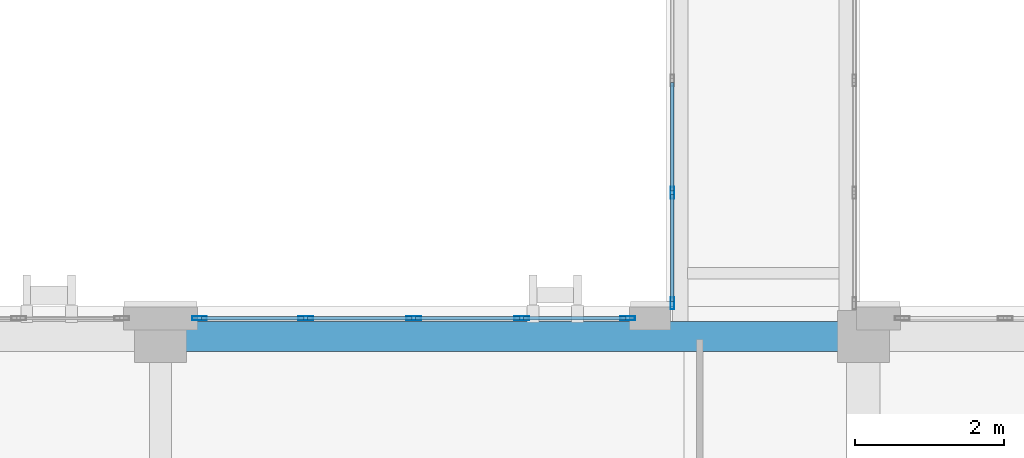
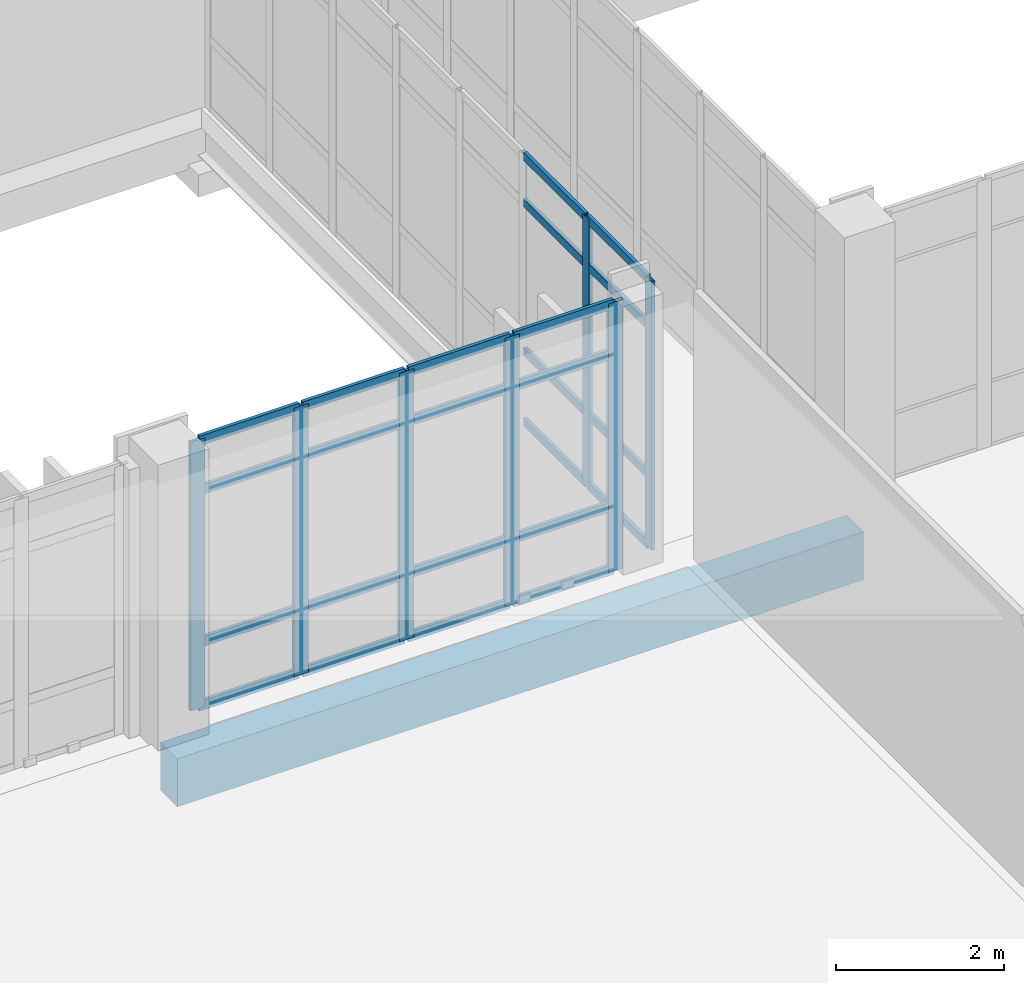
# One storey, part 42 of 193: 31 members, 1 beam, 2 elements without a shape of their own.
"""IFC4 building model written with IfcOpenShell, lengths in metres."""

from ifc_helpers import new_model, si_unit, direction, frame, origin, origin_2d, place, context, subcontext, project, spatial, rectangle, hollow_rectangle, extrude, material, layer, layer_set, material_profile, profile_set, type_object, element, aggregate, save


model = new_model("IFC4")

# Units and contexts
model_context = context("Model", 3, precision=1e-05, world=origin(), true_north=direction((0.0, 1.0)))
body_context = subcontext(model_context, "Body", "Model", "MODEL_VIEW")
ifc_project = project(units=[si_unit("LENGTHUNIT", "METRE"), si_unit("AREAUNIT", "SQUARE_METRE"), si_unit("VOLUMEUNIT", "CUBIC_METRE"), si_unit("PLANEANGLEUNIT", "RADIAN"), si_unit("MASSUNIT", "GRAM", prefix="KILO")], contexts=[model_context])

# Site, building, storey
site_placement = place(None, origin())
site = spatial("IfcSite", under=ifc_project, at=site_placement, CompositionType="ELEMENT")
building_placement = place(site_placement, origin())
building = spatial("IfcBuilding", under=site, at=building_placement, Name="Qalavern Law Courts", CompositionType="ELEMENT")
storey_placement = place(building_placement, frame((0.0, 0.0, 10.199951171875)))
storey = spatial("IfcBuildingStorey", under=building, at=storey_placement, Name="L02", CompositionType="ELEMENT", Elevation=10.199951171875)

# Curtain wall, members
ifc_material_1 = material(Name="Anodised aluminium and insulated glazing", Category="aluminium")
ifc_layer_1 = layer(ifc_material_1, 0.14990234375)
ifc_layer_set_1 = layer_set([ifc_layer_1], Name="Anodised aluminium and insulated glazing")
curtain_wall_type_1 = type_object("IfcCurtainWallType", Name="ENV-CW-BRG", PredefinedType="USERDEFINED", material=ifc_layer_set_1)
curtain_wall_1_placement = place(storey_placement, origin())
curtain_wall_1 = element("IfcCurtainWall", 1, at=curtain_wall_1_placement, inside=storey, type_object=curtain_wall_type_1, Name="Bridge BR-V2-V4 glazed curtain wall L02-1", ObjectType="UNITISED CURTAIN WALL", PredefinedType="USERDEFINED")
ifc_material_2 = material(Name="Anodised aluminium", Category="aluminium")
ifc_material_profile_1 = material_profile(ifc_material_2, hollow_rectangle(XDim=0.048095703125, YDim=0.159912109375, WallThickness=0.00390625, at=origin_2d()), Name="ALU MULLION 48x160")
ifc_profile_set_1 = profile_set([ifc_material_profile_1], Name="Anodised aluminium")
member_type_1 = type_object("IfcMemberType", Name="ENV-CWM-48x160", PredefinedType="MULLION", material=ifc_profile_set_1)
member_1_placement = place(storey_placement, frame((88.77490234375, 31.931396484375, 0.0), z_axis=(0.0, 0.0, 1.0), x_axis=(1.0, 0.0, 0.0)))
member_1 = element("IfcMember", 2, at=member_1_placement, type_object=member_type_1, Name="CW-06 mullion 7", PredefinedType="MULLION", context=body_context, shape_type="SweptSolid", body=[
    extrude(hollow_rectangle(XDim=0.048095703125, YDim=0.159912109375, WallThickness=0.00390625, at=origin_2d()), origin(), (0.0, 0.0, 1.0), 3.9150390625),
])
member_2_placement = place(storey_placement, frame((88.77490234375, 30.444091796875, 0.0), z_axis=(0.0, 0.0, 1.0), x_axis=(1.0, 0.0, 0.0)))
member_2 = element("IfcMember", 3, at=member_2_placement, type_object=member_type_1, Name="CW-06 mullion 8", PredefinedType="MULLION", context=body_context, shape_type="SweptSolid", body=[
    extrude(hollow_rectangle(XDim=0.048095703125, YDim=0.159912109375, WallThickness=0.00390625, at=origin_2d()), origin(), (0.0, 0.0, 1.0), 3.9150390625),
])

ifc_layer_2 = layer(ifc_material_1, 0.18505859375)
ifc_layer_set_2 = layer_set([ifc_layer_2], Name="Anodised aluminium and insulated glazing")
curtain_wall_type_2 = type_object("IfcCurtainWallType", Name="ENV-CW-HALL", PredefinedType="USERDEFINED", material=ifc_layer_set_2)
curtain_wall_2_placement = place(storey_placement, origin())
curtain_wall_2 = element("IfcCurtainWall", 4, at=curtain_wall_2_placement, inside=storey, type_object=curtain_wall_type_2, Name="V2 unitised curtain wall L02 north 1", ObjectType="UNITISED CURTAIN WALL", PredefinedType="USERDEFINED")
ifc_material_profile_2 = material_profile(ifc_material_2, hollow_rectangle(XDim=0.048095703125, YDim=0.199951171875, WallThickness=0.00439453125, at=origin_2d()), Name="ALU MULLION 48x200")
ifc_profile_set_2 = profile_set([ifc_material_profile_2], Name="Anodised aluminium")
member_type_2 = type_object("IfcMemberType", Name="ENV-CWM-48x200", PredefinedType="MULLION", material=ifc_profile_set_2)
member_3_placement = place(storey_placement, frame((88.176025390625, 30.2451171875, 0.0), z_axis=(0.0, 0.0, 1.0), x_axis=(0.0, -1.0, 0.0)))
member_3 = element("IfcMember", 5, at=member_3_placement, type_object=member_type_2, Name="CW-02 mullion 1", PredefinedType="MULLION", context=body_context, shape_type="SweptSolid", body=[
    extrude(hollow_rectangle(XDim=0.048095703125, YDim=0.199951171875, WallThickness=0.00439453125, at=origin_2d()), origin(), (0.0, 0.0, 1.0), 3.9150390625),
])
member_4_placement = place(storey_placement, frame((86.747802734375, 30.2451171875, 0.0), z_axis=(0.0, 0.0, 1.0), x_axis=(0.0, -1.0, 0.0)))
member_4 = element("IfcMember", 6, at=member_4_placement, type_object=member_type_2, Name="CW-02 mullion 2", PredefinedType="MULLION", context=body_context, shape_type="SweptSolid", body=[
    extrude(hollow_rectangle(XDim=0.048095703125, YDim=0.199951171875, WallThickness=0.00439453125, at=origin_2d()), origin(), (0.0, 0.0, 1.0), 3.9150390625),
])
member_5_placement = place(storey_placement, frame((85.295654296875, 30.2451171875, 0.0), z_axis=(0.0, 0.0, 1.0), x_axis=(0.0, -1.0, 0.0)))
member_5 = element("IfcMember", 7, at=member_5_placement, type_object=member_type_2, Name="CW-02 mullion 3", PredefinedType="MULLION", context=body_context, shape_type="SweptSolid", body=[
    extrude(hollow_rectangle(XDim=0.048095703125, YDim=0.199951171875, WallThickness=0.00439453125, at=origin_2d()), origin(), (0.0, 0.0, 1.0), 3.9150390625),
])
member_6_placement = place(storey_placement, frame((83.843505859375, 30.2451171875, 0.0), z_axis=(0.0, 0.0, 1.0), x_axis=(0.0, -1.0, 0.0)))
member_6 = element("IfcMember", 8, at=member_6_placement, type_object=member_type_2, Name="CW-02 mullion 4", PredefinedType="MULLION", context=body_context, shape_type="SweptSolid", body=[
    extrude(hollow_rectangle(XDim=0.048095703125, YDim=0.199951171875, WallThickness=0.00439453125, at=origin_2d()), origin(), (0.0, 0.0, 1.0), 3.9150390625),
])
member_7_placement = place(storey_placement, frame((82.415283203125, 30.2451171875, 0.0), z_axis=(0.0, 0.0, 1.0), x_axis=(0.0, -1.0, 0.0)))
member_7 = element("IfcMember", 9, at=member_7_placement, type_object=member_type_2, Name="CW-02 mullion 5", PredefinedType="MULLION", context=body_context, shape_type="SweptSolid", body=[
    extrude(hollow_rectangle(XDim=0.048095703125, YDim=0.199951171875, WallThickness=0.00439453125, at=origin_2d()), origin(), (0.0, 0.0, 1.0), 3.9150390625),
])

# Member
ifc_material_profile_3 = material_profile(ifc_material_2, hollow_rectangle(XDim=0.048095703125, YDim=0.1201171875, WallThickness=0.00390625, at=origin_2d()), Name="ALU TRANSOM 48x120")
ifc_profile_set_3 = profile_set([ifc_material_profile_3], Name="Anodised aluminium")
member_type_3 = type_object("IfcMemberType", Name="ENV-CWT-48x120", PredefinedType="USERDEFINED", material=ifc_profile_set_3)
member_8_placement = place(storey_placement, frame((88.77490234375, 33.4189453125, 0.024169921875), z_axis=(0.0, -1.0, 0.0), x_axis=(1.0, 0.0, 0.0)))
member_8 = element("IfcMember", 10, at=member_8_placement, type_object=member_type_3, Name="CW-06 transom 6.1", ObjectType="TRANSOM", PredefinedType="USERDEFINED", context=body_context, shape_type="SweptSolid", body=[
    extrude(hollow_rectangle(XDim=0.048095703125, YDim=0.1201171875, WallThickness=0.00390625, at=origin_2d()), origin(), (0.0, 0.0, 1.0), 1.463623046875),
])

member_9_placement = place(storey_placement, frame((88.77490234375, 33.4189453125, 1.050048828125), z_axis=(0.0, -1.0, 0.0), x_axis=(1.0, 0.0, 0.0)))
member_9 = element("IfcMember", 11, at=member_9_placement, type_object=member_type_3, Name="CW-06 transom 6.2", ObjectType="TRANSOM", PredefinedType="USERDEFINED", context=body_context, shape_type="SweptSolid", body=[
    extrude(hollow_rectangle(XDim=0.048095703125, YDim=0.1201171875, WallThickness=0.00390625, at=origin_2d()), origin(), (0.0, 0.0, 1.0), 1.463623046875),
])

member_10_placement = place(storey_placement, frame((88.77490234375, 33.4189453125, 3.215087890625), z_axis=(0.0, -1.0, 0.0), x_axis=(1.0, 0.0, 0.0)))
member_10 = element("IfcMember", 12, at=member_10_placement, type_object=member_type_3, Name="CW-06 transom 6.3", ObjectType="TRANSOM", PredefinedType="USERDEFINED", context=body_context, shape_type="SweptSolid", body=[
    extrude(hollow_rectangle(XDim=0.048095703125, YDim=0.1201171875, WallThickness=0.00390625, at=origin_2d()), origin(), (0.0, 0.0, 1.0), 1.463623046875),
])

member_11_placement = place(storey_placement, frame((88.77490234375, 33.4189453125, 3.89111328125), z_axis=(0.0, -1.0, 0.0), x_axis=(1.0, 0.0, 0.0)))
member_11 = element("IfcMember", 13, at=member_11_placement, type_object=member_type_3, Name="CW-06 transom 6.4", ObjectType="TRANSOM", PredefinedType="USERDEFINED", context=body_context, shape_type="SweptSolid", body=[
    extrude(hollow_rectangle(XDim=0.048095703125, YDim=0.1201171875, WallThickness=0.00390625, at=origin_2d()), origin(), (0.0, 0.0, 1.0), 1.463623046875),
])

member_12_placement = place(storey_placement, frame((88.77490234375, 31.907470703125, 0.024169921875), z_axis=(0.0, -1.0, 0.0), x_axis=(1.0, 0.0, 0.0)))
member_12 = element("IfcMember", 14, at=member_12_placement, type_object=member_type_3, Name="CW-06 transom 7.1", ObjectType="TRANSOM", PredefinedType="USERDEFINED", context=body_context, shape_type="SweptSolid", body=[
    extrude(hollow_rectangle(XDim=0.048095703125, YDim=0.1201171875, WallThickness=0.00390625, at=origin_2d()), origin(), (0.0, 0.0, 1.0), 1.439453125),
])

member_13_placement = place(storey_placement, frame((88.77490234375, 31.907470703125, 1.050048828125), z_axis=(0.0, -1.0, 0.0), x_axis=(1.0, 0.0, 0.0)))
member_13 = element("IfcMember", 15, at=member_13_placement, type_object=member_type_3, Name="CW-06 transom 7.2", ObjectType="TRANSOM", PredefinedType="USERDEFINED", context=body_context, shape_type="SweptSolid", body=[
    extrude(hollow_rectangle(XDim=0.048095703125, YDim=0.1201171875, WallThickness=0.00390625, at=origin_2d()), origin(), (0.0, 0.0, 1.0), 1.439453125),
])

member_14_placement = place(storey_placement, frame((88.77490234375, 31.907470703125, 3.215087890625), z_axis=(0.0, -1.0, 0.0), x_axis=(1.0, 0.0, 0.0)))
member_14 = element("IfcMember", 16, at=member_14_placement, type_object=member_type_3, Name="CW-06 transom 7.3", ObjectType="TRANSOM", PredefinedType="USERDEFINED", context=body_context, shape_type="SweptSolid", body=[
    extrude(hollow_rectangle(XDim=0.048095703125, YDim=0.1201171875, WallThickness=0.00390625, at=origin_2d()), origin(), (0.0, 0.0, 1.0), 1.439453125),
])

member_15_placement = place(storey_placement, frame((88.77490234375, 31.907470703125, 3.89111328125), z_axis=(0.0, -1.0, 0.0), x_axis=(1.0, 0.0, 0.0)))
member_15 = element("IfcMember", 17, at=member_15_placement, type_object=member_type_3, Name="CW-06 transom 7.4", ObjectType="TRANSOM", PredefinedType="USERDEFINED", context=body_context, shape_type="SweptSolid", body=[
    extrude(hollow_rectangle(XDim=0.048095703125, YDim=0.1201171875, WallThickness=0.00390625, at=origin_2d()), origin(), (0.0, 0.0, 1.0), 1.439453125),
])

aggregate(curtain_wall_1, [member_1, member_2, member_8, member_9, member_10, member_11, member_12, member_13, member_14, member_15])

ifc_material_profile_4 = material_profile(ifc_material_2, hollow_rectangle(XDim=0.048095703125, YDim=0.139892578125, WallThickness=0.00390625, at=origin_2d()), Name="ALU TRANSOM 48x140")
ifc_profile_set_4 = profile_set([ifc_material_profile_4], Name="Anodised aluminium")
member_type_4 = type_object("IfcMemberType", Name="ENV-CWT-48x140", PredefinedType="USERDEFINED", material=ifc_profile_set_4)
member_16_placement = place(storey_placement, frame((88.152099609375, 30.2451171875, 0.024169921875), z_axis=(-1.0, 0.0, 0.0), x_axis=(0.0, -1.0, 0.0)))
member_16 = element("IfcMember", 18, at=member_16_placement, type_object=member_type_4, Name="CW-02 transom 1.1", ObjectType="TRANSOM", PredefinedType="USERDEFINED", context=body_context, shape_type="SweptSolid", body=[
    extrude(hollow_rectangle(XDim=0.048095703125, YDim=0.139892578125, WallThickness=0.00390625, at=origin_2d()), origin(), (0.0, 0.0, 1.0), 1.38037109375),
])

member_17_placement = place(storey_placement, frame((88.152099609375, 30.2451171875, 0.949951171875), z_axis=(-1.0, 0.0, 0.0), x_axis=(0.0, -1.0, 0.0)))
member_17 = element("IfcMember", 19, at=member_17_placement, type_object=member_type_4, Name="CW-02 transom 1.2", ObjectType="TRANSOM", PredefinedType="USERDEFINED", context=body_context, shape_type="SweptSolid", body=[
    extrude(hollow_rectangle(XDim=0.048095703125, YDim=0.139892578125, WallThickness=0.00390625, at=origin_2d()), origin(), (0.0, 0.0, 1.0), 1.38037109375),
])

member_18_placement = place(storey_placement, frame((88.152099609375, 30.2451171875, 3.1650390625), z_axis=(-1.0, 0.0, 0.0), x_axis=(0.0, -1.0, 0.0)))
member_18 = element("IfcMember", 20, at=member_18_placement, type_object=member_type_4, Name="CW-02 transom 1.3", ObjectType="TRANSOM", PredefinedType="USERDEFINED", context=body_context, shape_type="SweptSolid", body=[
    extrude(hollow_rectangle(XDim=0.048095703125, YDim=0.139892578125, WallThickness=0.00390625, at=origin_2d()), origin(), (0.0, 0.0, 1.0), 1.38037109375),
])

member_19_placement = place(storey_placement, frame((88.152099609375, 30.2451171875, 3.89111328125), z_axis=(-1.0, 0.0, 0.0), x_axis=(0.0, -1.0, 0.0)))
member_19 = element("IfcMember", 21, at=member_19_placement, type_object=member_type_4, Name="CW-02 transom 1.4", ObjectType="TRANSOM", PredefinedType="USERDEFINED", context=body_context, shape_type="SweptSolid", body=[
    extrude(hollow_rectangle(XDim=0.048095703125, YDim=0.139892578125, WallThickness=0.00390625, at=origin_2d()), origin(), (0.0, 0.0, 1.0), 1.38037109375),
])

member_20_placement = place(storey_placement, frame((86.723876953125, 30.2451171875, 0.024169921875), z_axis=(-1.0, 0.0, 0.0), x_axis=(0.0, -1.0, 0.0)))
member_20 = element("IfcMember", 22, at=member_20_placement, type_object=member_type_4, Name="CW-02 transom 2.1", ObjectType="TRANSOM", PredefinedType="USERDEFINED", context=body_context, shape_type="SweptSolid", body=[
    extrude(hollow_rectangle(XDim=0.048095703125, YDim=0.139892578125, WallThickness=0.00390625, at=origin_2d()), origin(), (0.0, 0.0, 1.0), 1.404296875),
])

member_21_placement = place(storey_placement, frame((86.723876953125, 30.2451171875, 0.949951171875), z_axis=(-1.0, 0.0, 0.0), x_axis=(0.0, -1.0, 0.0)))
member_21 = element("IfcMember", 23, at=member_21_placement, type_object=member_type_4, Name="CW-02 transom 2.2", ObjectType="TRANSOM", PredefinedType="USERDEFINED", context=body_context, shape_type="SweptSolid", body=[
    extrude(hollow_rectangle(XDim=0.048095703125, YDim=0.139892578125, WallThickness=0.00390625, at=origin_2d()), origin(), (0.0, 0.0, 1.0), 1.404296875),
])

member_22_placement = place(storey_placement, frame((86.723876953125, 30.2451171875, 3.1650390625), z_axis=(-1.0, 0.0, 0.0), x_axis=(0.0, -1.0, 0.0)))
member_22 = element("IfcMember", 24, at=member_22_placement, type_object=member_type_4, Name="CW-02 transom 2.3", ObjectType="TRANSOM", PredefinedType="USERDEFINED", context=body_context, shape_type="SweptSolid", body=[
    extrude(hollow_rectangle(XDim=0.048095703125, YDim=0.139892578125, WallThickness=0.00390625, at=origin_2d()), origin(), (0.0, 0.0, 1.0), 1.404296875),
])

member_23_placement = place(storey_placement, frame((86.723876953125, 30.2451171875, 3.89111328125), z_axis=(-1.0, 0.0, 0.0), x_axis=(0.0, -1.0, 0.0)))
member_23 = element("IfcMember", 25, at=member_23_placement, type_object=member_type_4, Name="CW-02 transom 2.4", ObjectType="TRANSOM", PredefinedType="USERDEFINED", context=body_context, shape_type="SweptSolid", body=[
    extrude(hollow_rectangle(XDim=0.048095703125, YDim=0.139892578125, WallThickness=0.00390625, at=origin_2d()), origin(), (0.0, 0.0, 1.0), 1.404296875),
])

member_24_placement = place(storey_placement, frame((85.271728515625, 30.2451171875, 0.024169921875), z_axis=(-1.0, 0.0, 0.0), x_axis=(0.0, -1.0, 0.0)))
member_24 = element("IfcMember", 26, at=member_24_placement, type_object=member_type_4, Name="CW-02 transom 3.1", ObjectType="TRANSOM", PredefinedType="USERDEFINED", context=body_context, shape_type="SweptSolid", body=[
    extrude(hollow_rectangle(XDim=0.048095703125, YDim=0.139892578125, WallThickness=0.00390625, at=origin_2d()), origin(), (0.0, 0.0, 1.0), 1.404296875),
])

member_25_placement = place(storey_placement, frame((85.271728515625, 30.2451171875, 0.949951171875), z_axis=(-1.0, 0.0, 0.0), x_axis=(0.0, -1.0, 0.0)))
member_25 = element("IfcMember", 27, at=member_25_placement, type_object=member_type_4, Name="CW-02 transom 3.2", ObjectType="TRANSOM", PredefinedType="USERDEFINED", context=body_context, shape_type="SweptSolid", body=[
    extrude(hollow_rectangle(XDim=0.048095703125, YDim=0.139892578125, WallThickness=0.00390625, at=origin_2d()), origin(), (0.0, 0.0, 1.0), 1.404296875),
])

member_26_placement = place(storey_placement, frame((85.271728515625, 30.2451171875, 3.1650390625), z_axis=(-1.0, 0.0, 0.0), x_axis=(0.0, -1.0, 0.0)))
member_26 = element("IfcMember", 28, at=member_26_placement, type_object=member_type_4, Name="CW-02 transom 3.3", ObjectType="TRANSOM", PredefinedType="USERDEFINED", context=body_context, shape_type="SweptSolid", body=[
    extrude(hollow_rectangle(XDim=0.048095703125, YDim=0.139892578125, WallThickness=0.00390625, at=origin_2d()), origin(), (0.0, 0.0, 1.0), 1.404296875),
])

member_27_placement = place(storey_placement, frame((85.271728515625, 30.2451171875, 3.89111328125), z_axis=(-1.0, 0.0, 0.0), x_axis=(0.0, -1.0, 0.0)))
member_27 = element("IfcMember", 29, at=member_27_placement, type_object=member_type_4, Name="CW-02 transom 3.4", ObjectType="TRANSOM", PredefinedType="USERDEFINED", context=body_context, shape_type="SweptSolid", body=[
    extrude(hollow_rectangle(XDim=0.048095703125, YDim=0.139892578125, WallThickness=0.00390625, at=origin_2d()), origin(), (0.0, 0.0, 1.0), 1.404296875),
])

member_28_placement = place(storey_placement, frame((83.819580078125, 30.2451171875, 0.024169921875), z_axis=(-1.0, 0.0, 0.0), x_axis=(0.0, -1.0, 0.0)))
member_28 = element("IfcMember", 30, at=member_28_placement, type_object=member_type_4, Name="CW-02 transom 4.1", ObjectType="TRANSOM", PredefinedType="USERDEFINED", context=body_context, shape_type="SweptSolid", body=[
    extrude(hollow_rectangle(XDim=0.048095703125, YDim=0.139892578125, WallThickness=0.00390625, at=origin_2d()), origin(), (0.0, 0.0, 1.0), 1.380126953125),
])

member_29_placement = place(storey_placement, frame((83.819580078125, 30.2451171875, 0.949951171875), z_axis=(-1.0, 0.0, 0.0), x_axis=(0.0, -1.0, 0.0)))
member_29 = element("IfcMember", 31, at=member_29_placement, type_object=member_type_4, Name="CW-02 transom 4.2", ObjectType="TRANSOM", PredefinedType="USERDEFINED", context=body_context, shape_type="SweptSolid", body=[
    extrude(hollow_rectangle(XDim=0.048095703125, YDim=0.139892578125, WallThickness=0.00390625, at=origin_2d()), origin(), (0.0, 0.0, 1.0), 1.380126953125),
])

member_30_placement = place(storey_placement, frame((83.819580078125, 30.2451171875, 3.1650390625), z_axis=(-1.0, 0.0, 0.0), x_axis=(0.0, -1.0, 0.0)))
member_30 = element("IfcMember", 32, at=member_30_placement, type_object=member_type_4, Name="CW-02 transom 4.3", ObjectType="TRANSOM", PredefinedType="USERDEFINED", context=body_context, shape_type="SweptSolid", body=[
    extrude(hollow_rectangle(XDim=0.048095703125, YDim=0.139892578125, WallThickness=0.00390625, at=origin_2d()), origin(), (0.0, 0.0, 1.0), 1.380126953125),
])

member_31_placement = place(storey_placement, frame((83.819580078125, 30.2451171875, 3.89111328125), z_axis=(-1.0, 0.0, 0.0), x_axis=(0.0, -1.0, 0.0)))
member_31 = element("IfcMember", 33, at=member_31_placement, type_object=member_type_4, Name="CW-02 transom 4.4", ObjectType="TRANSOM", PredefinedType="USERDEFINED", context=body_context, shape_type="SweptSolid", body=[
    extrude(hollow_rectangle(XDim=0.048095703125, YDim=0.139892578125, WallThickness=0.00390625, at=origin_2d()), origin(), (0.0, 0.0, 1.0), 1.380126953125),
])

aggregate(curtain_wall_2, [member_3, member_4, member_5, member_6, member_7, member_16, member_17, member_18, member_19, member_20, member_21, member_22, member_23, member_24, member_25, member_26, member_27, member_28, member_29, member_30, member_31])

# Beam
ifc_material_3 = material(Name="Concrete C40/50", Category="concrete")
ifc_material_profile_5 = material_profile(ifc_material_3, rectangle(XDim=0.39990234375, YDim=0.699951171875, at=origin_2d()), Name="RC 400x700")
ifc_profile_set_5 = profile_set([ifc_material_profile_5], Name="Concrete C40/50")
beam_type = type_object("IfcBeamType", Name="STR-SP-RC400x700", PredefinedType="SPANDREL", material=ifc_profile_set_5)
beam_placement = place(storey_placement, frame((81.891357421875, 30.0, -0.639892578125), z_axis=(1.0, 0.0, 0.0), x_axis=(0.0, 1.0, 0.0)))
element("IfcBeam", 34, at=beam_placement, inside=storey, type_object=beam_type, Name="V2 X-beam 4-6 L02", PredefinedType="SPANDREL", context=body_context, shape_type="SweptSolid", body=[
    extrude(rectangle(XDim=0.39990234375, YDim=0.699951171875, at=origin_2d()), origin(), (0.0, 0.0, 1.0), 9.454345703125),
])

save(model, "model.ifc")
